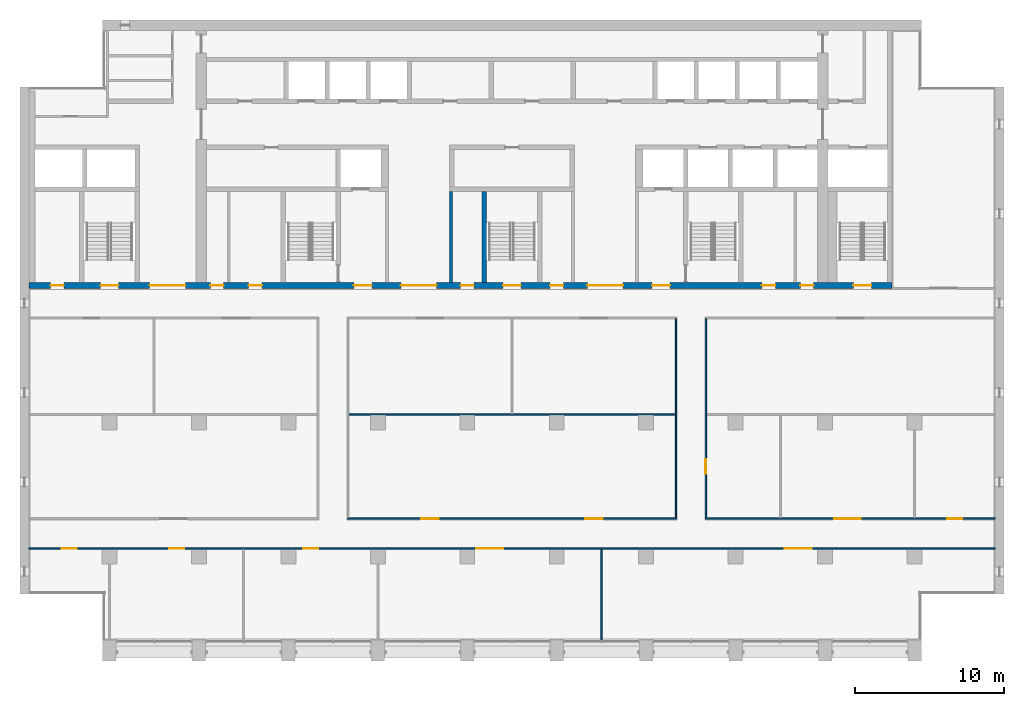
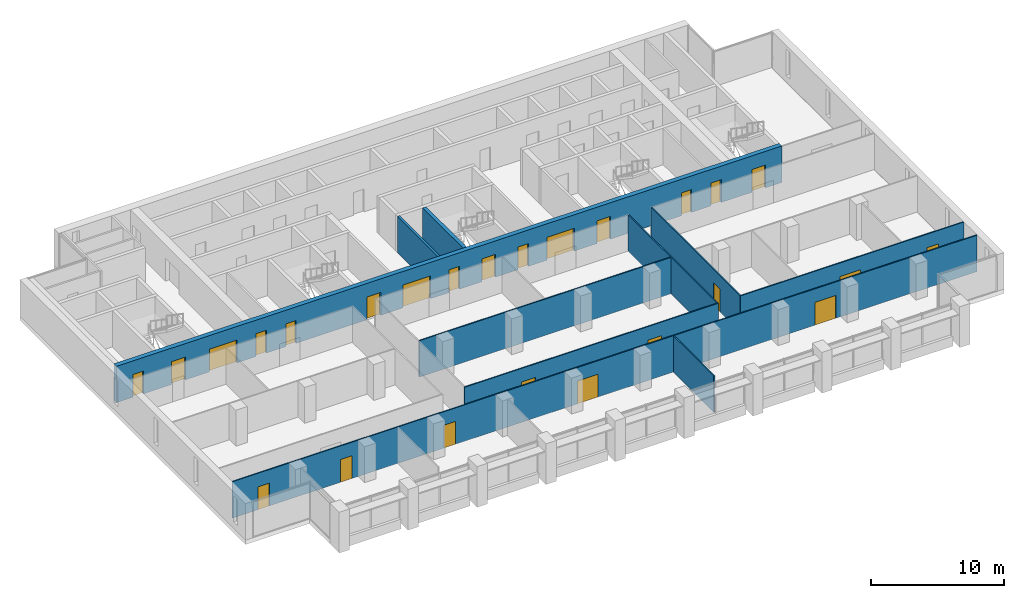
# One storey, part 9 of 17: 25 doors, 10 walls, 25 openings.
"""IFC4 building model written with IfcOpenShell, lengths in metres."""

from ifc_helpers import new_model, si_unit, direction, frame, frame_2d, origin, place, context, subcontext, project, spatial, rectangle, extrude, material, layer, layer_set, type_object, element, fill, save


model = new_model("IFC4")

# Units and contexts
model_context = context("Model", 3, precision=1e-05, world=origin(), true_north=direction((0.0, 1.0)))
body_context = subcontext(model_context, "Body", "Model", "MODEL_VIEW")
ifc_project = project(units=[si_unit("LENGTHUNIT", "METRE"), si_unit("AREAUNIT", "SQUARE_METRE"), si_unit("VOLUMEUNIT", "CUBIC_METRE"), si_unit("PLANEANGLEUNIT", "RADIAN"), si_unit("MASSUNIT", "GRAM", prefix="KILO")], contexts=[model_context])

# Site, building, storey
site_placement = place(None, origin())
site = spatial("IfcSite", under=ifc_project, at=site_placement, CompositionType="ELEMENT")
building_placement = place(site_placement, origin())
building = spatial("IfcBuilding", under=site, at=building_placement, Name="Calvaro Tower", CompositionType="ELEMENT")
storey_placement = place(building_placement, frame((0.0, 0.0, 219.25)))
storey = spatial("IfcBuildingStorey", under=building, at=storey_placement, Name="L55", CompositionType="ELEMENT", Elevation=219.25)

# Walls
ifc_material_1 = material(Name="Blockwork partition", Category="masonry")
ifc_layer_1 = layer(ifc_material_1, 0.199951171875)
ifc_layer_set_1 = layer_set([ifc_layer_1], Name="Blockwork partition")
wall_type_1 = type_object("IfcWallType", Name="Core partition 200 REI 120", PredefinedType="PARTITIONING", material=ifc_layer_set_1)
wall_1_placement = place(storey_placement, frame((34.89990234375, 28.39990234375, 0.0), z_axis=(0.0, 0.0, 1.0), x_axis=(0.0, 1.0, 0.0)))
element("IfcWall", 1, at=wall_1_placement, inside=storey, type_object=wall_type_1, Name="Core partition", PredefinedType="PARTITIONING", context=body_context, shape_type="SweptSolid", body=[
    extrude(rectangle(XDim=6.10009765625, YDim=0.199951171875, at=frame_2d((3.050048828125, 0.0))), origin(), (0.0, 0.0, 1.0), 3.35009765625),
])
ifc_material_2 = material(Name="Concrete C50/60", Category="concrete")
ifc_layer_2 = layer(ifc_material_2, 0.300048828125)
ifc_layer_set_2 = layer_set([ifc_layer_2], Name="Concrete C50/60")
wall_type_2 = type_object("IfcWallType", Name="Core wall C50/60 300", PredefinedType="SHEAR", material=ifc_layer_set_2)
wall_2_placement = place(storey_placement, frame((37.14990234375, 28.39990234375, 0.0), z_axis=(0.0, 0.0, 1.0), x_axis=(0.0, 1.0, 0.0)))
element("IfcWall", 2, at=wall_2_placement, inside=storey, type_object=wall_type_2, Name="Core wall, stair enclosure", PredefinedType="SHEAR", context=body_context, shape_type="SweptSolid", body=[
    extrude(rectangle(XDim=6.10009765625, YDim=0.300048828125, at=frame_2d((3.050048828125, 0.0))), origin(), (0.0, 0.0, 1.0), 3.35009765625),
])

# Wall, openings, doors
ifc_material_3 = material(Name="Concrete C50/60", Category="concrete")
ifc_layer_3 = layer(ifc_material_3, 0.39990234375)
ifc_layer_set_3 = layer_set([ifc_layer_3], Name="Concrete C50/60")
wall_type_3 = type_object("IfcWallType", Name="Core wall C50/60 400", PredefinedType="SHEAR", material=ifc_layer_set_3)
wall_3_placement = place(storey_placement, frame((6.60009765625, 28.199951171875, 0.0), z_axis=(0.0, 0.0, 1.0), x_axis=(1.0, 0.0, 0.0)))
wall_3 = element("IfcWall", 3, at=wall_3_placement, inside=storey, type_object=wall_type_3, Name="Core wall, front", PredefinedType="SHEAR", context=body_context, shape_type="SweptSolid", body=[
    extrude(rectangle(XDim=57.89990234375, YDim=0.39990234375, at=frame_2d((28.949951171875, 0.0))), origin(), (0.0, 0.0, 1.0), 3.35009765625),
])
opening_1_placement = place(wall_3_placement, frame((12.16259765625, 0.0, 0.0)))
opening_1 = element("IfcOpeningElement", 4, at=opening_1_placement, cuts=wall_3, Name="Opening RD9C", PredefinedType="OPENING", context=body_context, shape_type="SweptSolid", body=[
    extrude(rectangle(XDim=0.89990234375, YDim=2.10009765625, at=frame_2d((0.449951171875, 1.050048828125))), frame((0.0, 0.2099609375, 0.0), z_axis=(0.0, -1.0, 0.0), x_axis=(1.0, 0.0, 0.0)), (0.0, 0.0, 1.0), 0.419921875),
])
opening_2_placement = place(wall_3_placement, frame((14.737548828125, 0.0, 0.0)))
opening_2 = element("IfcOpeningElement", 5, at=opening_2_placement, cuts=wall_3, Name="Opening RD9E", PredefinedType="OPENING", context=body_context, shape_type="SweptSolid", body=[
    extrude(rectangle(XDim=0.89990234375, YDim=2.10009765625, at=frame_2d((0.449951171875, 1.050048828125))), frame((0.0, 0.2099609375, 0.0), z_axis=(0.0, -1.0, 0.0), x_axis=(1.0, 0.0, 0.0)), (0.0, 0.0, 1.0), 0.419921875),
])
opening_3_placement = place(wall_3_placement, frame((49.16259765625, 0.0, 0.0)))
opening_3 = element("IfcOpeningElement", 6, at=opening_3_placement, cuts=wall_3, Name="Opening RD9E", PredefinedType="OPENING", context=body_context, shape_type="SweptSolid", body=[
    extrude(rectangle(XDim=0.89990234375, YDim=2.10009765625, at=frame_2d((0.449951171875, 1.050048828125))), frame((0.0, 0.2099609375, 0.0), z_axis=(0.0, -1.0, 0.0), x_axis=(1.0, 0.0, 0.0)), (0.0, 0.0, 1.0), 0.419921875),
])
opening_4_placement = place(wall_3_placement, frame((51.737548828125, 0.0, 0.0)))
opening_4 = element("IfcOpeningElement", 7, at=opening_4_placement, cuts=wall_3, Name="Opening RD9C", PredefinedType="OPENING", context=body_context, shape_type="SweptSolid", body=[
    extrude(rectangle(XDim=0.89990234375, YDim=2.10009765625, at=frame_2d((0.449951171875, 1.050048828125))), frame((0.0, 0.2099609375, 0.0), z_axis=(0.0, -1.0, 0.0), x_axis=(1.0, 0.0, 0.0)), (0.0, 0.0, 1.0), 0.419921875),
])
opening_5_placement = place(wall_3_placement, frame((1.449951171875, 0.0, 0.0)))
opening_5 = element("IfcOpeningElement", 8, at=opening_5_placement, cuts=wall_3, Name="Opening RD9E", PredefinedType="OPENING", context=body_context, shape_type="SweptSolid", body=[
    extrude(rectangle(XDim=0.89990234375, YDim=2.10009765625, at=frame_2d((0.449951171875, 1.050048828125))), frame((0.0, 0.2099609375, 0.0), z_axis=(0.0, -1.0, 0.0), x_axis=(1.0, 0.0, 0.0)), (0.0, 0.0, 1.0), 0.419921875),
])
opening_6_placement = place(wall_3_placement, frame((4.800048828125, 0.0, 0.0)))
opening_6 = element("IfcOpeningElement", 9, at=opening_6_placement, cuts=wall_3, Name="Opening SD12D", PredefinedType="OPENING", context=body_context, shape_type="SweptSolid", body=[
    extrude(rectangle(XDim=1.199951171875, YDim=2.10009765625, at=frame_2d((0.60009765625, 1.050048828125))), frame((0.0, 0.2099609375, 0.0), z_axis=(0.0, -1.0, 0.0), x_axis=(1.0, 0.0, 0.0)), (0.0, 0.0, 1.0), 0.419921875),
])
opening_7_placement = place(wall_3_placement, frame((31.800048828125, 0.0, 0.0)))
opening_7 = element("IfcOpeningElement", 10, at=opening_7_placement, cuts=wall_3, Name="Opening SD12D", PredefinedType="OPENING", context=body_context, shape_type="SweptSolid", body=[
    extrude(rectangle(XDim=1.199951171875, YDim=2.10009765625, at=frame_2d((0.60009765625, 1.050048828125))), frame((0.0, 0.2099609375, 0.0), z_axis=(0.0, -1.0, 0.0), x_axis=(1.0, 0.0, 0.0)), (0.0, 0.0, 1.0), 0.419921875),
])
opening_8_placement = place(wall_3_placement, frame((55.300048828125, 0.0, 0.0)))
opening_8 = element("IfcOpeningElement", 11, at=opening_8_placement, cuts=wall_3, Name="Opening SD12D", PredefinedType="OPENING", context=body_context, shape_type="SweptSolid", body=[
    extrude(rectangle(XDim=1.199951171875, YDim=2.10009765625, at=frame_2d((0.60009765625, 1.050048828125))), frame((0.0, 0.2099609375, 0.0), z_axis=(0.0, -1.0, 0.0), x_axis=(1.0, 0.0, 0.0)), (0.0, 0.0, 1.0), 0.419921875),
])
opening_9_placement = place(wall_3_placement, frame((21.800048828125, 0.0, 0.0)))
opening_9 = element("IfcOpeningElement", 12, at=opening_9_placement, cuts=wall_3, Name="Opening FD12F", PredefinedType="OPENING", context=body_context, shape_type="SweptSolid", body=[
    extrude(rectangle(XDim=1.199951171875, YDim=2.10009765625, at=frame_2d((0.60009765625, 1.050048828125))), frame((0.0, 0.2099609375, 0.0), z_axis=(0.0, -1.0, 0.0), x_axis=(1.0, 0.0, 0.0)), (0.0, 0.0, 1.0), 0.419921875),
])
opening_10_placement = place(wall_3_placement, frame((41.800048828125, 0.0, 0.0)))
opening_10 = element("IfcOpeningElement", 13, at=opening_10_placement, cuts=wall_3, Name="Opening FD12F", PredefinedType="OPENING", context=body_context, shape_type="SweptSolid", body=[
    extrude(rectangle(XDim=1.199951171875, YDim=2.10009765625, at=frame_2d((0.60009765625, 1.050048828125))), frame((0.0, 0.2099609375, 0.0), z_axis=(0.0, -1.0, 0.0), x_axis=(1.0, 0.0, 0.0)), (0.0, 0.0, 1.0), 0.419921875),
])
opening_11_placement = place(wall_3_placement, frame((24.949951171875, 0.0, 0.0)))
opening_11 = element("IfcOpeningElement", 14, at=opening_11_placement, cuts=wall_3, Name="Opening DD24D", PredefinedType="OPENING", context=body_context, shape_type="SweptSolid", body=[
    extrude(rectangle(XDim=2.39990234375, YDim=2.10009765625, at=frame_2d((1.199951171875, 1.050048828125))), frame((0.0, 0.2099609375, 0.0), z_axis=(0.0, -1.0, 0.0), x_axis=(1.0, 0.0, 0.0)), (0.0, 0.0, 1.0), 0.419921875),
])
opening_12_placement = place(wall_3_placement, frame((37.449951171875, 0.0, 0.0)))
opening_12 = element("IfcOpeningElement", 15, at=opening_12_placement, cuts=wall_3, Name="Opening DD24D", PredefinedType="OPENING", context=body_context, shape_type="SweptSolid", body=[
    extrude(rectangle(XDim=2.39990234375, YDim=2.10009765625, at=frame_2d((1.199951171875, 1.050048828125))), frame((0.0, 0.2099609375, 0.0), z_axis=(0.0, -1.0, 0.0), x_axis=(1.0, 0.0, 0.0)), (0.0, 0.0, 1.0), 0.419921875),
])
opening_13_placement = place(wall_3_placement, frame((8.10009765625, 0.0, 0.0)))
opening_13 = element("IfcOpeningElement", 16, at=opening_13_placement, cuts=wall_3, Name="Opening DD24D", PredefinedType="OPENING", context=body_context, shape_type="SweptSolid", body=[
    extrude(rectangle(XDim=2.39990234375, YDim=2.10009765625, at=frame_2d((1.199951171875, 1.050048828125))), frame((0.0, 0.2099609375, 0.0), z_axis=(0.0, -1.0, 0.0), x_axis=(1.0, 0.0, 0.0)), (0.0, 0.0, 1.0), 0.419921875),
])
opening_14_placement = place(wall_3_placement, frame((28.949951171875, 0.0, 0.0)))
opening_14 = element("IfcOpeningElement", 17, at=opening_14_placement, cuts=wall_3, Name="Opening RD9E", PredefinedType="OPENING", context=body_context, shape_type="SweptSolid", body=[
    extrude(rectangle(XDim=0.89990234375, YDim=2.10009765625, at=frame_2d((0.449951171875, 1.050048828125))), frame((0.0, 0.2099609375, 0.0), z_axis=(0.0, -1.0, 0.0), x_axis=(1.0, 0.0, 0.0)), (0.0, 0.0, 1.0), 0.419921875),
])
opening_15_placement = place(wall_3_placement, frame((34.949951171875, 0.0, 0.0)))
opening_15 = element("IfcOpeningElement", 18, at=opening_15_placement, cuts=wall_3, Name="Opening RD9E", PredefinedType="OPENING", context=body_context, shape_type="SweptSolid", body=[
    extrude(rectangle(XDim=0.89990234375, YDim=2.10009765625, at=frame_2d((0.449951171875, 1.050048828125))), frame((0.0, 0.2099609375, 0.0), z_axis=(0.0, -1.0, 0.0), x_axis=(1.0, 0.0, 0.0)), (0.0, 0.0, 1.0), 0.419921875),
])
ifc_material_4 = material(Name="Steel door set", Category="steel")
door_type_1 = type_object("IfcDoorType", Name="Fire door 1200 FD60S", OperationType="SINGLE_SWING_LEFT", PredefinedType="DOOR", material=ifc_material_4)
door_1_placement = place(opening_9_placement, origin())
door_1 = element("IfcDoor", 19, at=door_1_placement, inside=storey, type_object=door_type_1, Name="Fire door", OperationType="SINGLE_SWING_LEFT", OverallHeight=2.10009765625, OverallWidth=1.199951171875, PredefinedType="DOOR", context=body_context, shape_type="SweptSolid", body=[
    extrude(rectangle(XDim=1.199951171875, YDim=2.10009765625, at=frame_2d((0.60009765625, 1.050048828125))), frame((0.0, 0.02490234375, 0.0), z_axis=(0.0, -1.0, 0.0), x_axis=(1.0, 0.0, 0.0)), (0.0, 0.0, 1.0), 0.050048828125),
])
fill(opening_9, door_1)
door_2_placement = place(opening_10_placement, origin())
door_2 = element("IfcDoor", 20, at=door_2_placement, inside=storey, type_object=door_type_1, Name="Fire door", OperationType="SINGLE_SWING_LEFT", OverallHeight=2.10009765625, OverallWidth=1.199951171875, PredefinedType="DOOR", context=body_context, shape_type="SweptSolid", body=[
    extrude(rectangle(XDim=1.199951171875, YDim=2.10009765625, at=frame_2d((0.60009765625, 1.050048828125))), frame((0.0, 0.02490234375, 0.0), z_axis=(0.0, -1.0, 0.0), x_axis=(1.0, 0.0, 0.0)), (0.0, 0.0, 1.0), 0.050048828125),
])
fill(opening_10, door_2)
ifc_material_5 = material(Name="Steel door set", Category="steel")
door_type_2 = type_object("IfcDoorType", Name="Lobby double door 2400 FD30S", OperationType="DOUBLE_DOOR_SINGLE_SWING", PredefinedType="DOOR", material=ifc_material_5)
door_3_placement = place(opening_11_placement, origin())
door_3 = element("IfcDoor", 21, at=door_3_placement, inside=storey, type_object=door_type_2, Name="Lobby double door", OperationType="DOUBLE_DOOR_SINGLE_SWING", OverallHeight=2.10009765625, OverallWidth=2.39990234375, PredefinedType="DOOR", context=body_context, shape_type="SweptSolid", body=[
    extrude(rectangle(XDim=2.39990234375, YDim=2.10009765625, at=frame_2d((1.199951171875, 1.050048828125))), frame((0.0, 0.02490234375, 0.0), z_axis=(0.0, -1.0, 0.0), x_axis=(1.0, 0.0, 0.0)), (0.0, 0.0, 1.0), 0.050048828125),
])
fill(opening_11, door_3)
door_4_placement = place(opening_12_placement, origin())
door_4 = element("IfcDoor", 22, at=door_4_placement, inside=storey, type_object=door_type_2, Name="Lobby double door", OperationType="DOUBLE_DOOR_SINGLE_SWING", OverallHeight=2.10009765625, OverallWidth=2.39990234375, PredefinedType="DOOR", context=body_context, shape_type="SweptSolid", body=[
    extrude(rectangle(XDim=2.39990234375, YDim=2.10009765625, at=frame_2d((1.199951171875, 1.050048828125))), frame((0.0, 0.02490234375, 0.0), z_axis=(0.0, -1.0, 0.0), x_axis=(1.0, 0.0, 0.0)), (0.0, 0.0, 1.0), 0.050048828125),
])
fill(opening_12, door_4)
door_5_placement = place(opening_13_placement, origin())
door_5 = element("IfcDoor", 23, at=door_5_placement, inside=storey, type_object=door_type_2, Name="Lobby double door", OperationType="DOUBLE_DOOR_SINGLE_SWING", OverallHeight=2.10009765625, OverallWidth=2.39990234375, PredefinedType="DOOR", context=body_context, shape_type="SweptSolid", body=[
    extrude(rectangle(XDim=2.39990234375, YDim=2.10009765625, at=frame_2d((1.199951171875, 1.050048828125))), frame((0.0, 0.02490234375, 0.0), z_axis=(0.0, -1.0, 0.0), x_axis=(1.0, 0.0, 0.0)), (0.0, 0.0, 1.0), 0.050048828125),
])
fill(opening_13, door_5)
ifc_material_6 = material(Name="Steel door set", Category="steel")
door_type_3 = type_object("IfcDoorType", Name="Room door 900 FD30", OperationType="SINGLE_SWING_LEFT", PredefinedType="DOOR", material=ifc_material_6)
door_6_placement = place(opening_1_placement, origin())
door_6 = element("IfcDoor", 24, at=door_6_placement, inside=storey, type_object=door_type_3, Name="Room door", OperationType="SINGLE_SWING_LEFT", OverallHeight=2.10009765625, OverallWidth=0.89990234375, PredefinedType="DOOR", context=body_context, shape_type="SweptSolid", body=[
    extrude(rectangle(XDim=0.89990234375, YDim=2.10009765625, at=frame_2d((0.449951171875, 1.050048828125))), frame((0.0, 0.02490234375, 0.0), z_axis=(0.0, -1.0, 0.0), x_axis=(1.0, 0.0, 0.0)), (0.0, 0.0, 1.0), 0.050048828125),
])
fill(opening_1, door_6)
door_7_placement = place(opening_4_placement, origin())
door_7 = element("IfcDoor", 25, at=door_7_placement, inside=storey, type_object=door_type_3, Name="Room door", OperationType="SINGLE_SWING_LEFT", OverallHeight=2.10009765625, OverallWidth=0.89990234375, PredefinedType="DOOR", context=body_context, shape_type="SweptSolid", body=[
    extrude(rectangle(XDim=0.89990234375, YDim=2.10009765625, at=frame_2d((0.449951171875, 1.050048828125))), frame((0.0, 0.02490234375, 0.0), z_axis=(0.0, -1.0, 0.0), x_axis=(1.0, 0.0, 0.0)), (0.0, 0.0, 1.0), 0.050048828125),
])
fill(opening_4, door_7)
ifc_material_7 = material(Name="Steel door set", Category="steel")
door_type_4 = type_object("IfcDoorType", Name="Room door 900 FD60", OperationType="SINGLE_SWING_LEFT", PredefinedType="DOOR", material=ifc_material_7)
door_8_placement = place(opening_2_placement, origin())
door_8 = element("IfcDoor", 26, at=door_8_placement, inside=storey, type_object=door_type_4, Name="Room door", OperationType="SINGLE_SWING_RIGHT", OverallHeight=2.10009765625, OverallWidth=0.89990234375, PredefinedType="DOOR", context=body_context, shape_type="SweptSolid", body=[
    extrude(rectangle(XDim=0.89990234375, YDim=2.10009765625, at=frame_2d((0.449951171875, 1.050048828125))), frame((0.0, 0.02490234375, 0.0), z_axis=(0.0, -1.0, 0.0), x_axis=(1.0, 0.0, 0.0)), (0.0, 0.0, 1.0), 0.050048828125),
])
fill(opening_2, door_8)
door_9_placement = place(opening_3_placement, origin())
door_9 = element("IfcDoor", 27, at=door_9_placement, inside=storey, type_object=door_type_4, Name="Room door", OperationType="SINGLE_SWING_LEFT", OverallHeight=2.10009765625, OverallWidth=0.89990234375, PredefinedType="DOOR", context=body_context, shape_type="SweptSolid", body=[
    extrude(rectangle(XDim=0.89990234375, YDim=2.10009765625, at=frame_2d((0.449951171875, 1.050048828125))), frame((0.0, 0.02490234375, 0.0), z_axis=(0.0, -1.0, 0.0), x_axis=(1.0, 0.0, 0.0)), (0.0, 0.0, 1.0), 0.050048828125),
])
fill(opening_3, door_9)
door_10_placement = place(opening_5_placement, origin())
door_10 = element("IfcDoor", 28, at=door_10_placement, inside=storey, type_object=door_type_4, Name="Room door", OperationType="SINGLE_SWING_LEFT", OverallHeight=2.10009765625, OverallWidth=0.89990234375, PredefinedType="DOOR", context=body_context, shape_type="SweptSolid", body=[
    extrude(rectangle(XDim=0.89990234375, YDim=2.10009765625, at=frame_2d((0.449951171875, 1.050048828125))), frame((0.0, 0.02490234375, 0.0), z_axis=(0.0, -1.0, 0.0), x_axis=(1.0, 0.0, 0.0)), (0.0, 0.0, 1.0), 0.050048828125),
])
fill(opening_5, door_10)
door_11_placement = place(opening_14_placement, origin())
door_11 = element("IfcDoor", 29, at=door_11_placement, inside=storey, type_object=door_type_4, Name="Room door", OperationType="SINGLE_SWING_LEFT", OverallHeight=2.10009765625, OverallWidth=0.89990234375, PredefinedType="DOOR", context=body_context, shape_type="SweptSolid", body=[
    extrude(rectangle(XDim=0.89990234375, YDim=2.10009765625, at=frame_2d((0.449951171875, 1.050048828125))), frame((0.0, 0.02490234375, 0.0), z_axis=(0.0, -1.0, 0.0), x_axis=(1.0, 0.0, 0.0)), (0.0, 0.0, 1.0), 0.050048828125),
])
fill(opening_14, door_11)
door_12_placement = place(opening_15_placement, origin())
door_12 = element("IfcDoor", 30, at=door_12_placement, inside=storey, type_object=door_type_4, Name="Room door", OperationType="SINGLE_SWING_LEFT", OverallHeight=2.10009765625, OverallWidth=0.89990234375, PredefinedType="DOOR", context=body_context, shape_type="SweptSolid", body=[
    extrude(rectangle(XDim=0.89990234375, YDim=2.10009765625, at=frame_2d((0.449951171875, 1.050048828125))), frame((0.0, 0.02490234375, 0.0), z_axis=(0.0, -1.0, 0.0), x_axis=(1.0, 0.0, 0.0)), (0.0, 0.0, 1.0), 0.050048828125),
])
fill(opening_15, door_12)
ifc_material_8 = material(Name="Steel door set", Category="steel")
door_type_5 = type_object("IfcDoorType", Name="Stair door 1200 FD30S", OperationType="SINGLE_SWING_LEFT", PredefinedType="DOOR", material=ifc_material_8)
door_13_placement = place(opening_6_placement, origin())
door_13 = element("IfcDoor", 31, at=door_13_placement, inside=storey, type_object=door_type_5, Name="Stair door", OperationType="SINGLE_SWING_LEFT", OverallHeight=2.10009765625, OverallWidth=1.199951171875, PredefinedType="DOOR", context=body_context, shape_type="SweptSolid", body=[
    extrude(rectangle(XDim=1.199951171875, YDim=2.10009765625, at=frame_2d((0.60009765625, 1.050048828125))), frame((0.0, 0.02490234375, 0.0), z_axis=(0.0, -1.0, 0.0), x_axis=(1.0, 0.0, 0.0)), (0.0, 0.0, 1.0), 0.050048828125),
])
fill(opening_6, door_13)
door_14_placement = place(opening_7_placement, origin())
door_14 = element("IfcDoor", 32, at=door_14_placement, inside=storey, type_object=door_type_5, Name="Stair door", OperationType="SINGLE_SWING_LEFT", OverallHeight=2.10009765625, OverallWidth=1.199951171875, PredefinedType="DOOR", context=body_context, shape_type="SweptSolid", body=[
    extrude(rectangle(XDim=1.199951171875, YDim=2.10009765625, at=frame_2d((0.60009765625, 1.050048828125))), frame((0.0, 0.02490234375, 0.0), z_axis=(0.0, -1.0, 0.0), x_axis=(1.0, 0.0, 0.0)), (0.0, 0.0, 1.0), 0.050048828125),
])
fill(opening_7, door_14)
door_15_placement = place(opening_8_placement, origin())
door_15 = element("IfcDoor", 33, at=door_15_placement, inside=storey, type_object=door_type_5, Name="Stair door", OperationType="SINGLE_SWING_LEFT", OverallHeight=2.10009765625, OverallWidth=1.199951171875, PredefinedType="DOOR", context=body_context, shape_type="SweptSolid", body=[
    extrude(rectangle(XDim=1.199951171875, YDim=2.10009765625, at=frame_2d((0.60009765625, 1.050048828125))), frame((0.0, 0.02490234375, 0.0), z_axis=(0.0, -1.0, 0.0), x_axis=(1.0, 0.0, 0.0)), (0.0, 0.0, 1.0), 0.050048828125),
])
fill(opening_8, door_15)

ifc_material_9 = material(Name="Plasterboard on steel studs", Category="steel")
ifc_layer_4 = layer(ifc_material_9, 0.10009765625)
ifc_layer_set_4 = layer_set([ifc_layer_4], Name="Plasterboard on steel studs")
wall_type_4 = type_object("IfcWallType", Name="Partition 100", PredefinedType="PARTITIONING", material=ifc_layer_set_4)
wall_4_placement = place(storey_placement, frame((6.60009765625, 10.550048828125, 0.0), z_axis=(0.0, 0.0, 1.0), x_axis=(1.0, 0.0, 0.0)))
wall_4 = element("IfcWall", 34, at=wall_4_placement, inside=storey, type_object=wall_type_4, Name="Partition T31.W001", PredefinedType="PARTITIONING", context=body_context, shape_type="SweptSolid", body=[
    extrude(rectangle(XDim=64.7998046875, YDim=0.10009765625, at=frame_2d((32.39990234375, 0.0))), origin(), (0.0, 0.0, 1.0), 3.35009765625),
])
opening_16_placement = place(wall_4_placement, frame((9.39990234375, 0.0, 0.0)))
opening_16 = element("IfcOpeningElement", 35, at=opening_16_placement, cuts=wall_4, Name="Opening T31.001", PredefinedType="OPENING", context=body_context, shape_type="SweptSolid", body=[
    extrude(rectangle(XDim=1.0, YDim=2.10009765625, at=frame_2d((0.5, 1.050048828125))), frame((0.0, 0.06005859375, 0.0), z_axis=(0.0, -1.0, 0.0), x_axis=(1.0, 0.0, 0.0)), (0.0, 0.0, 1.0), 0.1201171875),
])
opening_17_placement = place(wall_4_placement, frame((18.39990234375, 0.0, 0.0)))
opening_17 = element("IfcOpeningElement", 36, at=opening_17_placement, cuts=wall_4, Name="Opening T31.002", PredefinedType="OPENING", context=body_context, shape_type="SweptSolid", body=[
    extrude(rectangle(XDim=1.0, YDim=2.10009765625, at=frame_2d((0.5, 1.050048828125))), frame((0.0, 0.06005859375, 0.0), z_axis=(0.0, -1.0, 0.0), x_axis=(1.0, 0.0, 0.0)), (0.0, 0.0, 1.0), 0.1201171875),
])
opening_18_placement = place(wall_4_placement, frame((30.0, 0.0, 0.0)))
opening_18 = element("IfcOpeningElement", 37, at=opening_18_placement, cuts=wall_4, Name="Opening T31.003", PredefinedType="OPENING", context=body_context, shape_type="SweptSolid", body=[
    extrude(rectangle(XDim=1.800048828125, YDim=2.10009765625, at=frame_2d((0.89990234375, 1.050048828125))), frame((0.0, 0.06005859375, 0.0), z_axis=(0.0, -1.0, 0.0), x_axis=(1.0, 0.0, 0.0)), (0.0, 0.0, 1.0), 0.1201171875),
])
opening_19_placement = place(wall_4_placement, frame((50.699951171875, 0.0, 0.0)))
opening_19 = element("IfcOpeningElement", 38, at=opening_19_placement, cuts=wall_4, Name="Opening T31.004", PredefinedType="OPENING", context=body_context, shape_type="SweptSolid", body=[
    extrude(rectangle(XDim=1.800048828125, YDim=2.10009765625, at=frame_2d((0.89990234375, 1.050048828125))), frame((0.0, 0.06005859375, 0.0), z_axis=(0.0, -1.0, 0.0), x_axis=(1.0, 0.0, 0.0)), (0.0, 0.0, 1.0), 0.1201171875),
])
opening_20_placement = place(wall_4_placement, frame((2.199951171875, 0.0, 0.0)))
opening_20 = element("IfcOpeningElement", 39, at=opening_20_placement, cuts=wall_4, Name="Opening T31.005", PredefinedType="OPENING", context=body_context, shape_type="SweptSolid", body=[
    extrude(rectangle(XDim=1.0, YDim=2.10009765625, at=frame_2d((0.5, 1.050048828125))), frame((0.0, 0.06005859375, 0.0), z_axis=(0.0, -1.0, 0.0), x_axis=(1.0, 0.0, 0.0)), (0.0, 0.0, 1.0), 0.1201171875),
])
ifc_material_10 = material(Name="Timber", Category="wood")
door_type_6 = type_object("IfcDoorType", Name="Internal double door 1800 x 2100", OperationType="DOUBLE_DOOR_SINGLE_SWING", PredefinedType="DOOR", material=ifc_material_10)
door_16_placement = place(opening_18_placement, origin())
door_16 = element("IfcDoor", 40, at=door_16_placement, inside=storey, type_object=door_type_6, Name="Door T31.003", OperationType="DOUBLE_DOOR_SINGLE_SWING", OverallHeight=2.10009765625, OverallWidth=1.800048828125, PredefinedType="DOOR", context=body_context, shape_type="SweptSolid", body=[
    extrude(rectangle(XDim=1.800048828125, YDim=2.10009765625, at=frame_2d((0.89990234375, 1.050048828125))), frame((0.0, 0.02490234375, 0.0), z_axis=(0.0, -1.0, 0.0), x_axis=(1.0, 0.0, 0.0)), (0.0, 0.0, 1.0), 0.050048828125),
])
fill(opening_18, door_16)
door_17_placement = place(opening_19_placement, origin())
door_17 = element("IfcDoor", 41, at=door_17_placement, inside=storey, type_object=door_type_6, Name="Door T31.004", OperationType="DOUBLE_DOOR_SINGLE_SWING", OverallHeight=2.10009765625, OverallWidth=1.800048828125, PredefinedType="DOOR", context=body_context, shape_type="SweptSolid", body=[
    extrude(rectangle(XDim=1.800048828125, YDim=2.10009765625, at=frame_2d((0.89990234375, 1.050048828125))), frame((0.0, 0.02490234375, 0.0), z_axis=(0.0, -1.0, 0.0), x_axis=(1.0, 0.0, 0.0)), (0.0, 0.0, 1.0), 0.050048828125),
])
fill(opening_19, door_17)
ifc_material_11 = material(Name="Timber", Category="wood")
door_type_7 = type_object("IfcDoorType", Name="Internal single door 1000 x 2100", OperationType="SINGLE_SWING_LEFT", PredefinedType="DOOR", material=ifc_material_11)
door_18_placement = place(opening_16_placement, origin())
door_18 = element("IfcDoor", 42, at=door_18_placement, inside=storey, type_object=door_type_7, Name="Door T31.001", OperationType="SINGLE_SWING_LEFT", OverallHeight=2.10009765625, OverallWidth=1.0, PredefinedType="DOOR", context=body_context, shape_type="SweptSolid", body=[
    extrude(rectangle(XDim=1.0, YDim=2.10009765625, at=frame_2d((0.5, 1.050048828125))), frame((0.0, 0.02490234375, 0.0), z_axis=(0.0, -1.0, 0.0), x_axis=(1.0, 0.0, 0.0)), (0.0, 0.0, 1.0), 0.050048828125),
])
fill(opening_16, door_18)
door_19_placement = place(opening_17_placement, origin())
door_19 = element("IfcDoor", 43, at=door_19_placement, inside=storey, type_object=door_type_7, Name="Door T31.002", OperationType="SINGLE_SWING_LEFT", OverallHeight=2.10009765625, OverallWidth=1.0, PredefinedType="DOOR", context=body_context, shape_type="SweptSolid", body=[
    extrude(rectangle(XDim=1.0, YDim=2.10009765625, at=frame_2d((0.5, 1.050048828125))), frame((0.0, 0.02490234375, 0.0), z_axis=(0.0, -1.0, 0.0), x_axis=(1.0, 0.0, 0.0)), (0.0, 0.0, 1.0), 0.050048828125),
])
fill(opening_17, door_19)
door_20_placement = place(opening_20_placement, origin())
door_20 = element("IfcDoor", 44, at=door_20_placement, inside=storey, type_object=door_type_7, Name="Door T31.005", OperationType="SINGLE_SWING_LEFT", OverallHeight=2.10009765625, OverallWidth=1.0, PredefinedType="DOOR", context=body_context, shape_type="SweptSolid", body=[
    extrude(rectangle(XDim=1.0, YDim=2.10009765625, at=frame_2d((0.5, 1.050048828125))), frame((0.0, 0.02490234375, 0.0), z_axis=(0.0, -1.0, 0.0), x_axis=(1.0, 0.0, 0.0)), (0.0, 0.0, 1.0), 0.050048828125),
])
fill(opening_20, door_20)

wall_5_placement = place(storey_placement, frame((27.949951171875, 12.550048828125, 0.0), z_axis=(0.0, 0.0, 1.0), x_axis=(1.0, 0.0, 0.0)))
wall_5 = element("IfcWall", 45, at=wall_5_placement, inside=storey, type_object=wall_type_4, Name="Partition T31.W003", PredefinedType="PARTITIONING", context=body_context, shape_type="SweptSolid", body=[
    extrude(rectangle(XDim=22.10009765625, YDim=0.10009765625, at=frame_2d((11.050048828125, 0.0))), origin(), (0.0, 0.0, 1.0), 3.35009765625),
])
opening_21_placement = place(wall_5_placement, frame((4.949951171875, 0.0, 0.0)))
opening_21 = element("IfcOpeningElement", 46, at=opening_21_placement, cuts=wall_5, Name="Opening T31.007", PredefinedType="OPENING", context=body_context, shape_type="SweptSolid", body=[
    extrude(rectangle(XDim=1.199951171875, YDim=2.10009765625, at=frame_2d((0.60009765625, 1.050048828125))), frame((0.0, 0.06005859375, 0.0), z_axis=(0.0, -1.0, 0.0), x_axis=(1.0, 0.0, 0.0)), (0.0, 0.0, 1.0), 0.1201171875),
])
opening_22_placement = place(wall_5_placement, frame((15.949951171875, 0.0, 0.0)))
opening_22 = element("IfcOpeningElement", 47, at=opening_22_placement, cuts=wall_5, Name="Opening T31.008", PredefinedType="OPENING", context=body_context, shape_type="SweptSolid", body=[
    extrude(rectangle(XDim=1.199951171875, YDim=2.10009765625, at=frame_2d((0.60009765625, 1.050048828125))), frame((0.0, 0.06005859375, 0.0), z_axis=(0.0, -1.0, 0.0), x_axis=(1.0, 0.0, 0.0)), (0.0, 0.0, 1.0), 0.1201171875),
])
ifc_material_12 = material(Name="Timber", Category="wood")
door_type_8 = type_object("IfcDoorType", Name="Internal single door 1200 x 2100", OperationType="SINGLE_SWING_LEFT", PredefinedType="DOOR", material=ifc_material_12)
door_21_placement = place(opening_21_placement, origin())
door_21 = element("IfcDoor", 48, at=door_21_placement, inside=storey, type_object=door_type_8, Name="Door T31.007", OperationType="SINGLE_SWING_LEFT", OverallHeight=2.10009765625, OverallWidth=1.199951171875, PredefinedType="DOOR", context=body_context, shape_type="SweptSolid", body=[
    extrude(rectangle(XDim=1.199951171875, YDim=2.10009765625, at=frame_2d((0.60009765625, 1.050048828125))), frame((0.0, 0.02490234375, 0.0), z_axis=(0.0, -1.0, 0.0), x_axis=(1.0, 0.0, 0.0)), (0.0, 0.0, 1.0), 0.050048828125),
])
fill(opening_21, door_21)
door_22_placement = place(opening_22_placement, origin())
door_22 = element("IfcDoor", 49, at=door_22_placement, inside=storey, type_object=door_type_8, Name="Door T31.008", OperationType="SINGLE_SWING_RIGHT", OverallHeight=2.10009765625, OverallWidth=1.199951171875, PredefinedType="DOOR", context=body_context, shape_type="SweptSolid", body=[
    extrude(rectangle(XDim=1.199951171875, YDim=2.10009765625, at=frame_2d((0.60009765625, 1.050048828125))), frame((0.0, 0.02490234375, 0.0), z_axis=(0.0, -1.0, 0.0), x_axis=(1.0, 0.0, 0.0)), (0.0, 0.0, 1.0), 0.050048828125),
])
fill(opening_22, door_22)

wall_6_placement = place(storey_placement, frame((51.949951171875, 12.550048828125, 0.0), z_axis=(0.0, 0.0, 1.0), x_axis=(1.0, 0.0, 0.0)))
wall_6 = element("IfcWall", 50, at=wall_6_placement, inside=storey, type_object=wall_type_4, Name="Partition T31.W004", PredefinedType="PARTITIONING", context=body_context, shape_type="SweptSolid", body=[
    extrude(rectangle(XDim=19.449951171875, YDim=0.10009765625, at=frame_2d((9.72509765625, 0.0))), origin(), (0.0, 0.0, 1.0), 3.35009765625),
])
opening_23_placement = place(wall_6_placement, frame((8.64990234375, 0.0, 0.0)))
opening_23 = element("IfcOpeningElement", 51, at=opening_23_placement, cuts=wall_6, Name="Opening T31.010", PredefinedType="OPENING", context=body_context, shape_type="SweptSolid", body=[
    extrude(rectangle(XDim=1.800048828125, YDim=2.10009765625, at=frame_2d((0.89990234375, 1.050048828125))), frame((0.0, 0.06005859375, 0.0), z_axis=(0.0, -1.0, 0.0), x_axis=(1.0, 0.0, 0.0)), (0.0, 0.0, 1.0), 0.1201171875),
])
opening_24_placement = place(wall_6_placement, frame((16.25, 0.0, 0.0)))
opening_24 = element("IfcOpeningElement", 52, at=opening_24_placement, cuts=wall_6, Name="Opening T31.011", PredefinedType="OPENING", context=body_context, shape_type="SweptSolid", body=[
    extrude(rectangle(XDim=1.0, YDim=2.10009765625, at=frame_2d((0.5, 1.050048828125))), frame((0.0, 0.06005859375, 0.0), z_axis=(0.0, -1.0, 0.0), x_axis=(1.0, 0.0, 0.0)), (0.0, 0.0, 1.0), 0.1201171875),
])
door_23_placement = place(opening_23_placement, origin())
door_23 = element("IfcDoor", 53, at=door_23_placement, inside=storey, type_object=door_type_6, Name="Door T31.010", OperationType="DOUBLE_DOOR_SINGLE_SWING", OverallHeight=2.10009765625, OverallWidth=1.800048828125, PredefinedType="DOOR", context=body_context, shape_type="SweptSolid", body=[
    extrude(rectangle(XDim=1.800048828125, YDim=2.10009765625, at=frame_2d((0.89990234375, 1.050048828125))), frame((0.0, 0.02490234375, 0.0), z_axis=(0.0, -1.0, 0.0), x_axis=(1.0, 0.0, 0.0)), (0.0, 0.0, 1.0), 0.050048828125),
])
fill(opening_23, door_23)
door_24_placement = place(opening_24_placement, origin())
door_24 = element("IfcDoor", 54, at=door_24_placement, inside=storey, type_object=door_type_7, Name="Door T31.011", OperationType="SINGLE_SWING_RIGHT", OverallHeight=2.10009765625, OverallWidth=1.0, PredefinedType="DOOR", context=body_context, shape_type="SweptSolid", body=[
    extrude(rectangle(XDim=1.0, YDim=2.10009765625, at=frame_2d((0.5, 1.050048828125))), frame((0.0, 0.02490234375, 0.0), z_axis=(0.0, -1.0, 0.0), x_axis=(1.0, 0.0, 0.0)), (0.0, 0.0, 1.0), 0.050048828125),
])
fill(opening_24, door_24)

# Walls
wall_7_placement = place(storey_placement, frame((28.050048828125, 19.550048828125, 0.0), z_axis=(0.0, 0.0, 1.0), x_axis=(1.0, 0.0, 0.0)))
element("IfcWall", 55, at=wall_7_placement, inside=storey, type_object=wall_type_4, Name="Partition T31.W006", PredefinedType="PARTITIONING", context=body_context, shape_type="SweptSolid", body=[
    extrude(rectangle(XDim=21.89990234375, YDim=0.10009765625, at=frame_2d((10.949951171875, 0.0))), origin(), (0.0, 0.0, 1.0), 3.35009765625),
])
wall_8_placement = place(storey_placement, frame((45.0, 4.39990234375, 0.0), z_axis=(0.0, 0.0, 1.0), x_axis=(0.0, 1.0, 0.0)))
element("IfcWall", 56, at=wall_8_placement, inside=storey, type_object=wall_type_4, Name="Partition T31.W019", PredefinedType="PARTITIONING", context=body_context, shape_type="SweptSolid", body=[
    extrude(rectangle(XDim=6.10009765625, YDim=0.10009765625, at=frame_2d((3.050048828125, 0.0))), origin(), (0.0, 0.0, 1.0), 3.35009765625),
])
wall_9_placement = place(storey_placement, frame((50.0, 12.60009765625, 0.0), z_axis=(0.0, 0.0, 1.0), x_axis=(0.0, 1.0, 0.0)))
element("IfcWall", 57, at=wall_9_placement, inside=storey, type_object=wall_type_4, Name="Partition T31.W020", PredefinedType="PARTITIONING", context=body_context, shape_type="SweptSolid", body=[
    extrude(rectangle(XDim=13.349853515625, YDim=0.10009765625, at=frame_2d((6.6748046875, 0.0))), origin(), (0.0, 0.0, 1.0), 3.35009765625),
])

# Wall, opening, door
wall_10_placement = place(storey_placement, frame((52.0, 12.60009765625, 0.0), z_axis=(0.0, 0.0, 1.0), x_axis=(0.0, 1.0, 0.0)))
wall_10 = element("IfcWall", 58, at=wall_10_placement, inside=storey, type_object=wall_type_4, Name="Partition T31.W021", PredefinedType="PARTITIONING", context=body_context, shape_type="SweptSolid", body=[
    extrude(rectangle(XDim=13.349853515625, YDim=0.10009765625, at=frame_2d((6.6748046875, 0.0))), origin(), (0.0, 0.0, 1.0), 3.35009765625),
])
opening_25_placement = place(wall_10_placement, frame((2.949951171875, 0.0, 0.0)))
opening_25 = element("IfcOpeningElement", 59, at=opening_25_placement, cuts=wall_10, Name="Opening T31.009", PredefinedType="OPENING", context=body_context, shape_type="SweptSolid", body=[
    extrude(rectangle(XDim=1.0, YDim=2.10009765625, at=frame_2d((0.5, 1.050048828125))), frame((0.0, 0.06005859375, 0.0), z_axis=(0.0, -1.0, 0.0), x_axis=(1.0, 0.0, 0.0)), (0.0, 0.0, 1.0), 0.1201171875),
])
door_25_placement = place(opening_25_placement, origin())
door_25 = element("IfcDoor", 60, at=door_25_placement, inside=storey, type_object=door_type_7, Name="Door T31.009", OperationType="SINGLE_SWING_LEFT", OverallHeight=2.10009765625, OverallWidth=1.0, PredefinedType="DOOR", context=body_context, shape_type="SweptSolid", body=[
    extrude(rectangle(XDim=1.0, YDim=2.10009765625, at=frame_2d((0.5, 1.050048828125))), frame((0.0, 0.02490234375, 0.0), z_axis=(0.0, -1.0, 0.0), x_axis=(1.0, 0.0, 0.0)), (0.0, 0.0, 1.0), 0.050048828125),
])
fill(opening_25, door_25)

save(model, "model.ifc")
